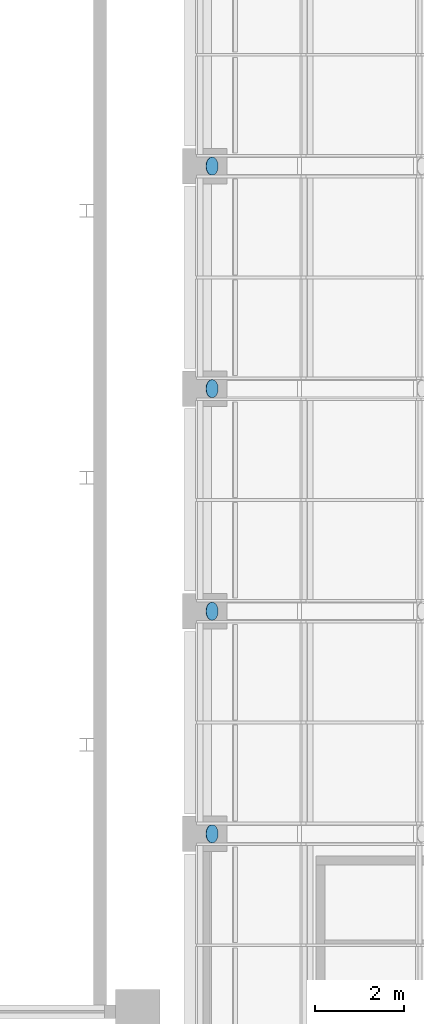
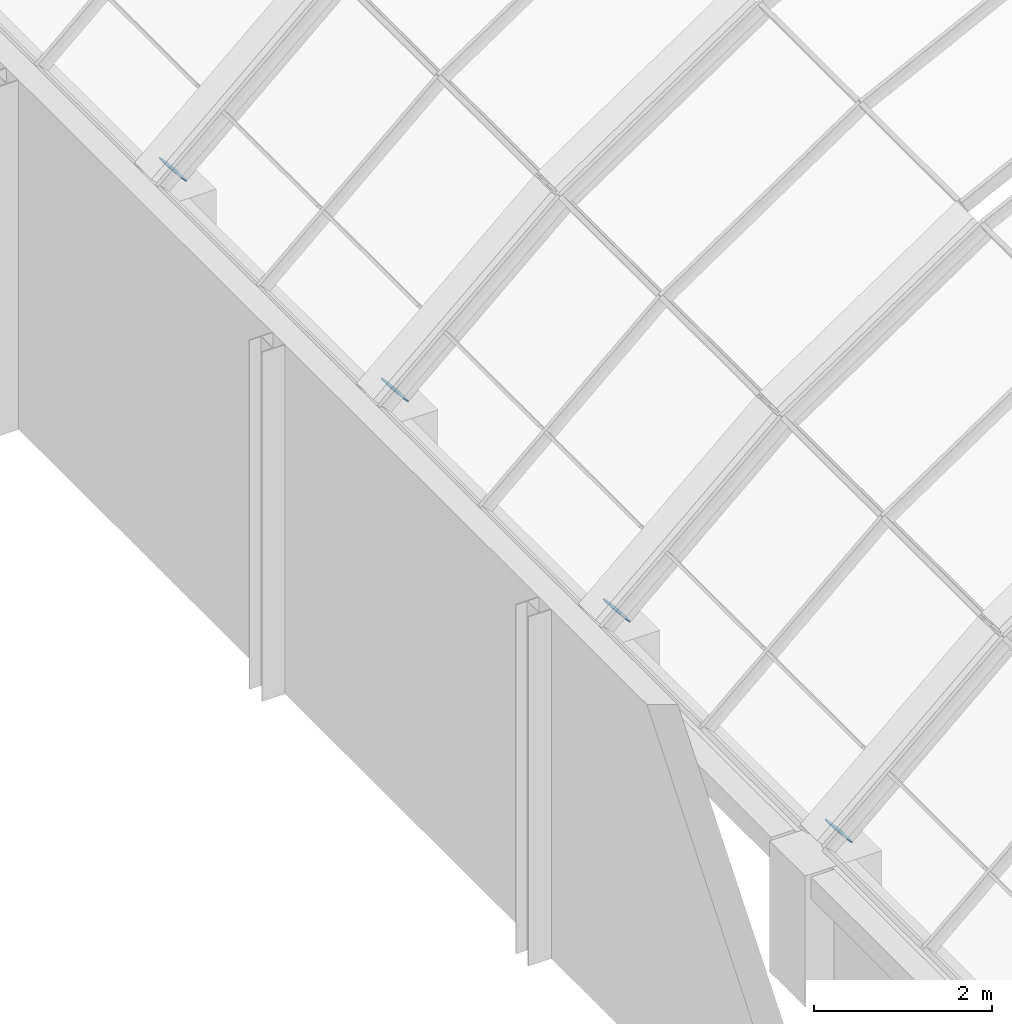
# One storey, part 162 of 182: 4 discrete accessories.
"""IFC4 building model written with IfcOpenShell, lengths in metres."""

from ifc_helpers import new_model, si_unit, direction, frame, origin, origin_2d, place, context, subcontext, project, spatial, circle, extrude, material, layer, layer_set, type_object, element, save


model = new_model("IFC4")

# Units and contexts
model_context = context("Model", 3, precision=1e-05, world=origin(), true_north=direction((0.0, 1.0)))
body_context = subcontext(model_context, "Body", "Model", "MODEL_VIEW")
ifc_project = project(units=[si_unit("LENGTHUNIT", "METRE"), si_unit("AREAUNIT", "SQUARE_METRE"), si_unit("VOLUMEUNIT", "CUBIC_METRE"), si_unit("PLANEANGLEUNIT", "RADIAN"), si_unit("MASSUNIT", "GRAM", prefix="KILO")], contexts=[model_context])

# Site, building, storey
site_placement = place(None, origin())
site = spatial("IfcSite", under=ifc_project, at=site_placement, CompositionType="ELEMENT")
building_placement = place(site_placement, origin())
building = spatial("IfcBuilding", under=site, at=building_placement, Name="Okhra Congress Centre", CompositionType="ELEMENT")
storey_placement = place(building_placement, frame((0.0, 0.0, 7.199951171875)))
storey = spatial("IfcBuildingStorey", under=building, at=storey_placement, Name="L01", CompositionType="ELEMENT", Elevation=7.199951171875)

# Discrete accessories
ifc_material = material(Name="Steel S355J2", Category="steel")
ifc_layer = layer(ifc_material, 0.011962890625)
ifc_layer_set = layer_set([ifc_layer], Name="Hollow section end cap 12 mm S355")
discrete_accessory_type = type_object("IfcDiscreteAccessoryType", Name="Hollow section end cap 12 mm S355", PredefinedType="BRACKET", material=ifc_layer_set)
for number, where, z_axis, x_axis, name in (
    (1, (155.67138671875, 136.0, 1.9521484375), (-0.746295434469, 0.0, -0.665614846958), (0.0, -1.0, 0.0), "Hollow section end cap"),
    (2, (155.67138671875, 141.0, 1.9521484375), (-0.746295434469, 0.0, -0.665614846958), (0.0, -1.0, 0.0), "Hollow section end cap"),
    (3, (155.67138671875, 146.0, 1.9521484375), (-0.746295434469, 0.0, -0.665614846958), (0.0, -1.0, 0.0), "Hollow section end cap"),
    (4, (155.67138671875, 151.0, 1.9521484375), (-0.746295434469, 0.0, -0.665614846958), (0.0, -1.0, 0.0), "Hollow section end cap"),
):
    element("IfcDiscreteAccessory", number, at=place(storey_placement, frame(where, z_axis=z_axis, x_axis=x_axis)), inside=storey, type_object=discrete_accessory_type, Name=name, PredefinedType="BRACKET", context=body_context, shape_type="SweptSolid", body=[
        extrude(circle(Radius=0.203125, at=origin_2d()), origin(), (0.0, 0.0, 1.0), 0.01220703125),
    ])

save(model, "model.ifc")
